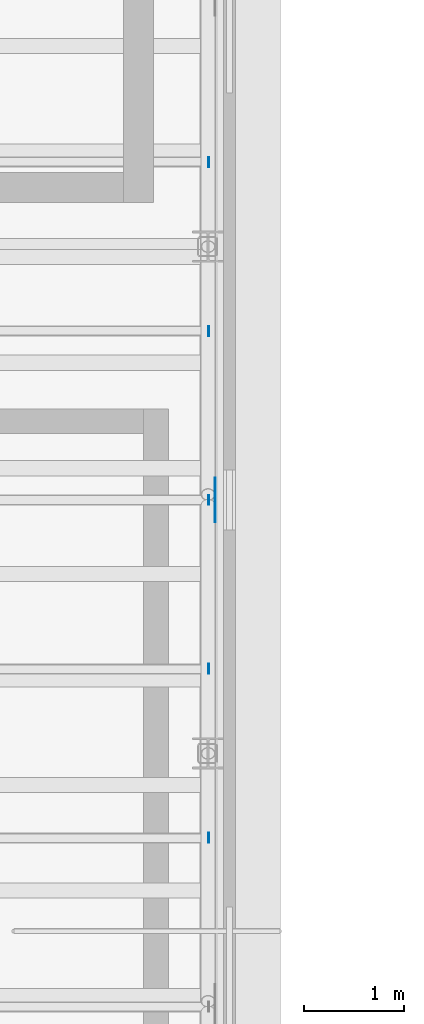
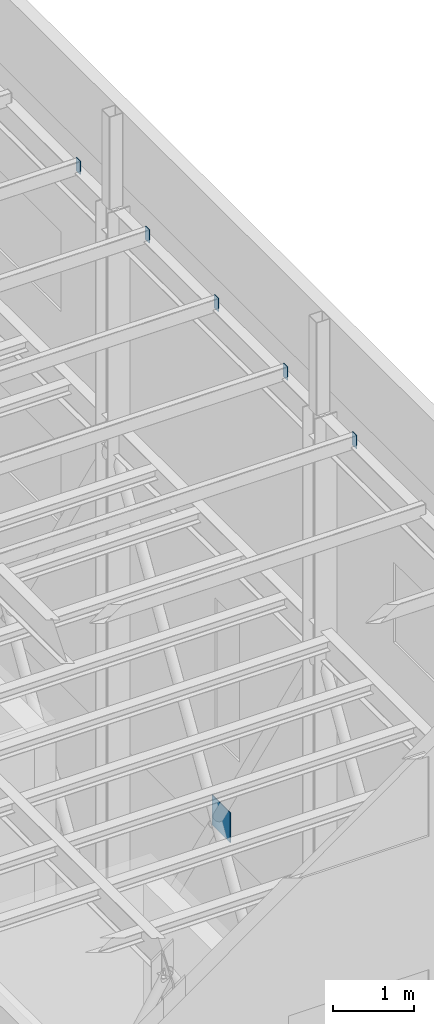
# One storey, part 11 of 22: 6 plates.
"""IFC4 building model written with IfcOpenShell, lengths in metres."""

from ifc_helpers import new_model, si_unit, direction, frame, origin, origin_2d, place, context, subcontext, project, spatial, rectangle, extrude, material, layer, layer_set, type_object, element, save


model = new_model("IFC4")

# Units and contexts
model_context = context("Model", 3, precision=1e-05, world=origin(), true_north=direction((0.0, 1.0)))
body_context = subcontext(model_context, "Body", "Model", "MODEL_VIEW")
ifc_project = project(units=[si_unit("LENGTHUNIT", "METRE"), si_unit("AREAUNIT", "SQUARE_METRE"), si_unit("VOLUMEUNIT", "CUBIC_METRE"), si_unit("PLANEANGLEUNIT", "RADIAN"), si_unit("MASSUNIT", "GRAM", prefix="KILO")], contexts=[model_context])

# Site, building, storey
site_placement = place(None, origin())
site = spatial("IfcSite", under=ifc_project, at=site_placement, CompositionType="ELEMENT")
building_placement = place(site_placement, origin())
building = spatial("IfcBuilding", under=site, at=building_placement, Name="Tide Square Theatres", CompositionType="ELEMENT")
storey_placement = place(building_placement, frame((0.0, 0.0, 24.0)))
storey = spatial("IfcBuildingStorey", under=building, at=storey_placement, Name="L05", CompositionType="ELEMENT", Elevation=24.0)

# Plates
ifc_material = material(Name="Steel ASTM A572 Grade 50", Category="steel")
ifc_layer = layer(ifc_material, 0.010009765625)
ifc_layer_set = layer_set([ifc_layer], Name="Steel ASTM A572 Grade 50")
plate_type = type_object("IfcPlateType", Name="Steel end plate 10 thick", PredefinedType="USERDEFINED", material=ifc_layer_set)
for number, where, z_axis, x_axis, name in (
    (1, (96.72900390625, 60.517333984375, 12.16015625), (0.0, 0.0, 1.0), (1.0, 0.0, 0.0), "Tower roof purlin end plate"),
    (2, (96.72900390625, 62.2138671875, 12.16015625), (0.0, 0.0, 1.0), (1.0, 0.0, 0.0), "Tower roof purlin end plate"),
    (3, (96.72900390625, 63.910400390625, 12.16015625), (0.0, 0.0, 1.0), (1.0, 0.0, 0.0), "Tower roof purlin end plate"),
    (4, (96.72900390625, 65.60693359375, 12.16015625), (0.0, 0.0, 1.0), (1.0, 0.0, 0.0), "Tower roof purlin end plate"),
    (5, (96.72900390625, 67.303466796875, 12.16015625), (0.0, 0.0, 1.0), (1.0, 0.0, 0.0), "Tower roof purlin end plate"),
):
    element("IfcPlate", number, at=place(storey_placement, frame(where, z_axis=z_axis, x_axis=x_axis)), inside=storey, type_object=plate_type, Name=name, ObjectType="END PLATE", PredefinedType="USERDEFINED", context=body_context, shape_type="SweptSolid", body=[
        extrude(rectangle(XDim=0.010009765625, YDim=0.10009765625, at=origin_2d()), origin(), (0.0, 0.0, 1.0), 0.199951171875),
    ])
plate_placement = place(storey_placement, frame((96.797607421875, 63.910400390625, 4.27490234375), z_axis=(0.0, 0.0, 1.0), x_axis=(1.0, 0.0, 0.0)))
element("IfcPlate", 6, at=plate_placement, inside=storey, type_object=plate_type, Name="Fly tower brace crossing node plate", ObjectType="END PLATE", PredefinedType="USERDEFINED", context=body_context, shape_type="SweptSolid", body=[
    extrude(rectangle(XDim=0.010009765625, YDim=0.449951171875, at=origin_2d()), origin(), (0.0, 0.0, 1.0), 0.449951171875),
])

save(model, "model.ifc")
